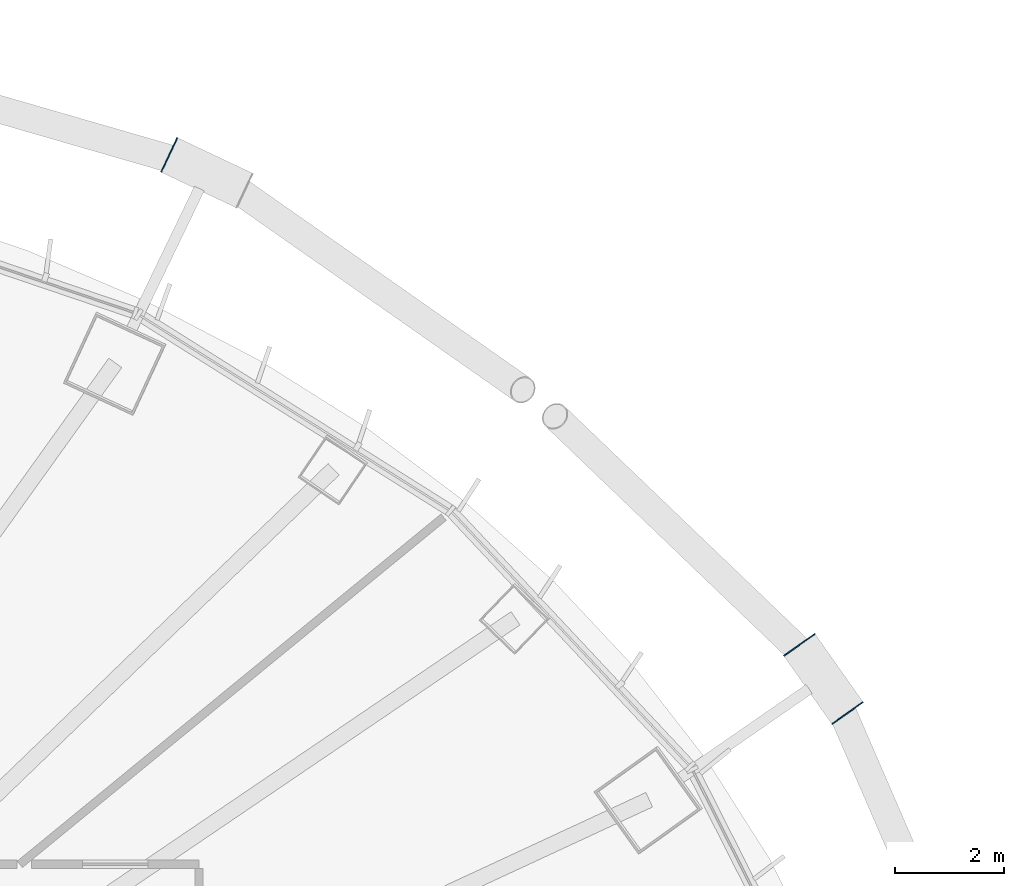
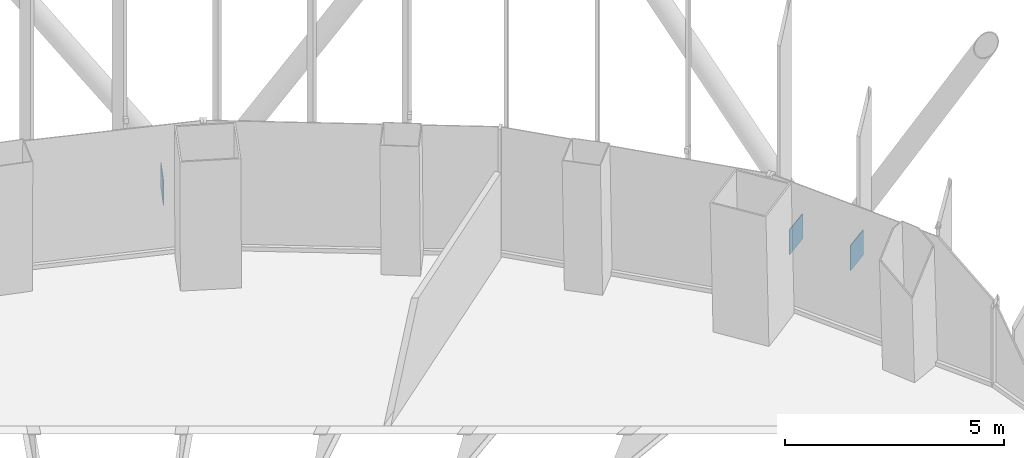
# One storey, part 14 of 22: 3 discrete accessories.
"""IFC4 building model written with IfcOpenShell, lengths in metres."""

import ifcopenshell
import ifcopenshell.guid

model = None  # the IFC model being written
_history = None  # IfcOwnerHistory: only IFC2X3 demands one
_inside = {}  # id of a spatial element -> (the spatial element, [elements in it])
_under = {}  # id of a project, library or spatial element -> (it, [spatial elements below it])
_declared = {}  # id of a project -> (the project, [libraries it declares])
_typed = {}  # id of a type object -> (the type object, [elements of that type])
_made_of = {}  # id of a material, layer set ... -> (it, [elements and type objects made of it])


def new_model(schema):
    """Start an empty IFC model of exactly this schema.

    Asked for "IFC4X3", IfcOpenShell would pick the latest addendum, in which some entities
    have other attributes; the version numbers below select the first issue.
    IFC2X3 requires an IfcOwnerHistory on every rooted entity: one is made here for all.
    """
    global model, _history
    if schema == "IFC4X3":
        model = ifcopenshell.file(schema_version=(4, 3, 0, 0))
    else:
        model = ifcopenshell.file(schema=schema)
    _inside.clear()
    _under.clear()
    _declared.clear()
    _typed.clear()
    _made_of.clear()
    _history = None
    if model.schema == "IFC2X3":
        org = make("IfcOrganization", Name="unknown")
        user = make(
            "IfcPersonAndOrganization",
            ThePerson=make("IfcPerson", FamilyName="unknown"),
            TheOrganization=org,
        )
        app = make(
            "IfcApplication",
            ApplicationDeveloper=org,
            Version="unknown",
            ApplicationFullName="unknown",
            ApplicationIdentifier="unknown",
        )
        _history = make(
            "IfcOwnerHistory",
            OwningUser=user,
            OwningApplication=app,
            ChangeAction="ADDED",
            CreationDate=0,
        )
    return model


def make(cls, **values):
    """One entity of the class cls with the attributes given. An attribute that is None is left unset."""
    return model.create_entity(
        cls, **{name: value for name, value in values.items() if value is not None}
    )


def rooted(cls, **values):
    """An entity with a GlobalId (a new one), such as an element, a storey or a relation."""
    return make(cls, GlobalId=ifcopenshell.guid.new(), OwnerHistory=_history, **values)


def si_unit(unit_type, name, prefix=None):
    """IfcSIUnit, for example si_unit("LENGTHUNIT", "METRE", prefix="MILLI")."""
    return make("IfcSIUnit", UnitType=unit_type, Prefix=prefix, Name=name)


def assignment(units):
    """IfcUnitAssignment: the units of a project."""
    return None if units is None else make("IfcUnitAssignment", Units=units)


def point(xyz):
    """IfcCartesianPoint."""
    return None if xyz is None else make("IfcCartesianPoint", Coordinates=xyz)


def direction(xyz):
    """IfcDirection."""
    return None if xyz is None else make("IfcDirection", DirectionRatios=xyz)


def frame(location, z_axis=None, x_axis=None):
    """IfcAxis2Placement3D, a coordinate frame: its origin and axes. An axis left out is left unset."""
    return make(
        "IfcAxis2Placement3D",
        Location=point(location),
        Axis=direction(z_axis),
        RefDirection=direction(x_axis),
    )


def frame_2d(location, x_axis=None):
    """IfcAxis2Placement2D, a coordinate frame in the plane: its origin and x axis."""
    return make(
        "IfcAxis2Placement2D", Location=point(location), RefDirection=direction(x_axis)
    )


def origin():
    """The frame at (0, 0, 0) with its axes left unset."""
    return frame((0.0, 0.0, 0.0))


def origin_2d():
    """The frame at (0, 0) in the plane with its x axis left unset."""
    return frame_2d((0.0, 0.0))


def place(relative_to, where):
    """IfcLocalPlacement: puts the frame where relative to a parent placement (None: the world)."""
    return make(
        "IfcLocalPlacement", PlacementRelTo=relative_to, RelativePlacement=where
    )


def context(
    kind, dimensions, precision=None, world=None, true_north=None, identifier=None
):
    """IfcGeometricRepresentationContext, for example the 3D "Model" context."""
    return make(
        "IfcGeometricRepresentationContext",
        ContextIdentifier=identifier,
        ContextType=kind,
        CoordinateSpaceDimension=dimensions,
        Precision=precision,
        WorldCoordinateSystem=world,
        TrueNorth=true_north,
    )


def subcontext(parent, identifier, kind, view, scale=None):
    """IfcGeometricRepresentationSubContext, for example "Body" below "Model"."""
    return make(
        "IfcGeometricRepresentationSubContext",
        ContextIdentifier=identifier,
        ContextType=kind,
        ParentContext=parent,
        TargetScale=scale,
        TargetView=view,
    )


def project(units=None, contexts=None):
    """IfcProject with its units and contexts."""
    return rooted(
        "IfcProject",
        Name="project",
        RepresentationContexts=contexts,
        UnitsInContext=assignment(units),
    )


def spatial(cls, under=None, at=None, **own):
    """A site, building, storey or space (cls), placed at a placement, below another one or the project."""
    s = rooted(cls, ObjectPlacement=at, **own)
    if under is not None:
        _under.setdefault(under.id(), (under, []))[1].append(s)
    return s


def profile(cls, at=None, kind="AREA", **sizes):
    """A parametric profile (cls). Its sizes go by their IFC names, for example OverallWidth=200.0."""
    return make(cls, ProfileType=kind, Position=at, **sizes)


def rectangle(**sizes):
    """IfcRectangleProfileDef."""
    return profile("IfcRectangleProfileDef", **sizes)


def extrude(swept, where, along, depth):
    """IfcExtrudedAreaSolid: the profile swept, set in the frame where, extruded along a direction by depth."""
    return make(
        "IfcExtrudedAreaSolid",
        SweptArea=swept,
        Position=where,
        ExtrudedDirection=direction(along),
        Depth=depth,
    )


def shape(context_of_items, identifier, shape_type, items):
    """IfcShapeRepresentation: the items that make up one representation, for example the "Body"."""
    return make(
        "IfcShapeRepresentation",
        ContextOfItems=context_of_items,
        RepresentationIdentifier=identifier,
        RepresentationType=shape_type,
        Items=items,
    )


def material(Name=None, Category=None):
    """IfcMaterial."""
    return make("IfcMaterial", Name=Name, Category=Category)


def layer(
    of_material, thickness, ventilated=None, Name=None, Category=None, Priority=None
):
    """IfcMaterialLayer: one layer of a wall or slab, of a material (None: an air gap)."""
    return make(
        "IfcMaterialLayer",
        Material=of_material,
        LayerThickness=thickness,
        IsVentilated=ventilated,
        Name=Name,
        Category=Category,
        Priority=Priority,
    )


def layer_set(layers, Name=None):
    """IfcMaterialLayerSet."""
    return make("IfcMaterialLayerSet", MaterialLayers=layers, LayerSetName=Name)


def made_of(thing, what):
    """Note that an element or type object is made of a material, layer set ...; save() writes the relation."""
    if what is not None:
        _made_of.setdefault(what.id(), (what, []))[1].append(thing)
    return thing


def type_object(cls, material=None, **own):
    """A type object (cls), such as IfcWallType, which elements share."""
    return made_of(rooted(cls, **own), material)


def element(
    cls,
    number,
    at=None,
    inside=None,
    cuts=None,
    type_object=None,
    material=None,
    context=None,
    identifier="Body",
    shape_type=None,
    held_by="IfcProductDefinitionShape",
    body=None,
    shapes=None,
    **own,
):
    """One element of the class cls, such as IfcWall. Its Tag is "e" and its number.

    at: its placement. inside: the storey or other place that contains it. cuts: it is an
    opening in that element (IfcRelVoidsElement). A single representation is given by context,
    identifier, shape_type and body (its items); several are given by shapes. held_by: the class
    of the entity that holds the representations. save() writes the other relations.
    """
    e = rooted(cls, Tag="e%d" % number, ObjectPlacement=at, **own)
    if body is not None:
        shapes = [shape(context, identifier, shape_type, body)]
    if shapes is not None:
        e.Representation = make(held_by, Representations=shapes)
    if inside is not None:
        _inside.setdefault(inside.id(), (inside, []))[1].append(e)
    if cuts is not None:
        rooted(
            "IfcRelVoidsElement", RelatingBuildingElement=cuts, RelatedOpeningElement=e
        )
    if type_object is not None:
        _typed.setdefault(type_object.id(), (type_object, []))[1].append(e)
    return made_of(e, material)


def aggregate(whole, parts):
    """IfcRelAggregates: a whole, such as a stair, and the parts it consists of."""
    return rooted("IfcRelAggregates", RelatingObject=whole, RelatedObjects=parts)


def save(model, path):
    """Write the relations noted so far, then the file.

    IfcRelAggregates (storeys below a building ...), IfcRelContainedInSpatialStructure (elements
    in a storey), IfcRelDefinesByType, IfcRelAssociatesMaterial and IfcRelDeclares: one each for
    every whole, place, type object, material and project.
    """
    for whole, parts in _under.values():
        aggregate(whole, parts)
    for where, things in _inside.values():
        rooted(
            "IfcRelContainedInSpatialStructure",
            RelatedElements=things,
            RelatingStructure=where,
        )
    for kind, things in _typed.values():
        rooted("IfcRelDefinesByType", RelatedObjects=things, RelatingType=kind)
    for what, things in _made_of.values():
        rooted("IfcRelAssociatesMaterial", RelatedObjects=things, RelatingMaterial=what)
    for by, libraries in _declared.values():
        rooted("IfcRelDeclares", RelatingContext=by, RelatedDefinitions=libraries)
    model.write(path)


model = new_model("IFC4")

# Units and contexts
model_context = context("Model", 3, precision=1e-05, world=origin(), true_north=direction((0.0, 1.0)))
body_context = subcontext(model_context, "Body", "Model", "MODEL_VIEW")
ifc_project = project(units=[si_unit("LENGTHUNIT", "METRE"), si_unit("AREAUNIT", "SQUARE_METRE"), si_unit("VOLUMEUNIT", "CUBIC_METRE"), si_unit("PLANEANGLEUNIT", "RADIAN"), si_unit("MASSUNIT", "GRAM", prefix="KILO")], contexts=[model_context])

# Site, building, storey
site_placement = place(None, origin())
site = spatial("IfcSite", under=ifc_project, at=site_placement, CompositionType="ELEMENT")
building_placement = place(site_placement, origin())
building = spatial("IfcBuilding", under=site, at=building_placement, Name="Siaravel Broadcast Tower", CompositionType="ELEMENT")
storey_placement = place(building_placement, frame((0.0, 0.0, 48.199951171875)))
storey = spatial("IfcBuildingStorey", under=building, at=storey_placement, Name="L10", CompositionType="ELEMENT", Elevation=48.199951171875)

# Discrete accessories
ifc_material = material(Name="Steel S355", Category="steel")
ifc_layer = layer(ifc_material, 0.02001953125)
ifc_layer_set = layer_set([ifc_layer], Name="Steel S355")
discrete_accessory_type = type_object("IfcDiscreteAccessoryType", Name="Steel end plate 20 mm", PredefinedType="USERDEFINED", material=ifc_layer_set)
for number, where, z_axis, x_axis, name in (
    (1, (25.9912109375, 13.61669921875, -0.5498046875), (0.0, 0.0, 1.0), (-0.576118513, 0.817366172, 0.0), "End plate R05 station 06A"),
    (2, (26.870849609375, 12.36865234375, -0.5498046875), (0.0, 0.0, 1.0), (-0.576118513, 0.817366172, 0.0), "End plate R05 station 06B"),
    (3, (14.45458984375, 22.586181640625, -0.5498046875), (0.0, 0.0, 1.0), (-0.904006456, 0.427518805, 0.0), "End plate R05 station 12A"),
):
    element("IfcDiscreteAccessory", number, at=place(storey_placement, frame(where, z_axis=z_axis, x_axis=x_axis)), inside=storey, type_object=discrete_accessory_type, Name=name, ObjectType="END PLATE", PredefinedType="USERDEFINED", context=body_context, shape_type="SweptSolid", body=[
        extrude(rectangle(XDim=0.02001953125, YDim=0.699951171875, at=origin_2d()), origin(), (0.0, 0.0, 1.0), 0.699951171875),
    ])

save(model, "model.ifc")
